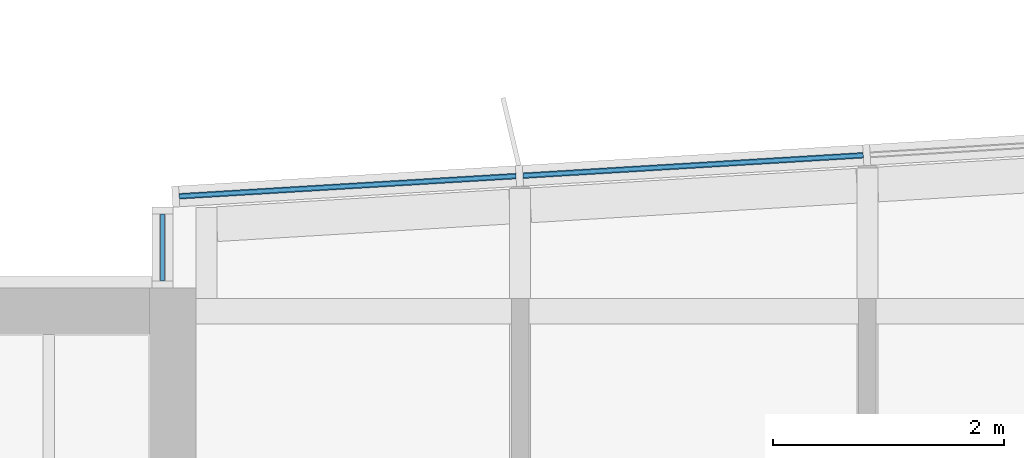
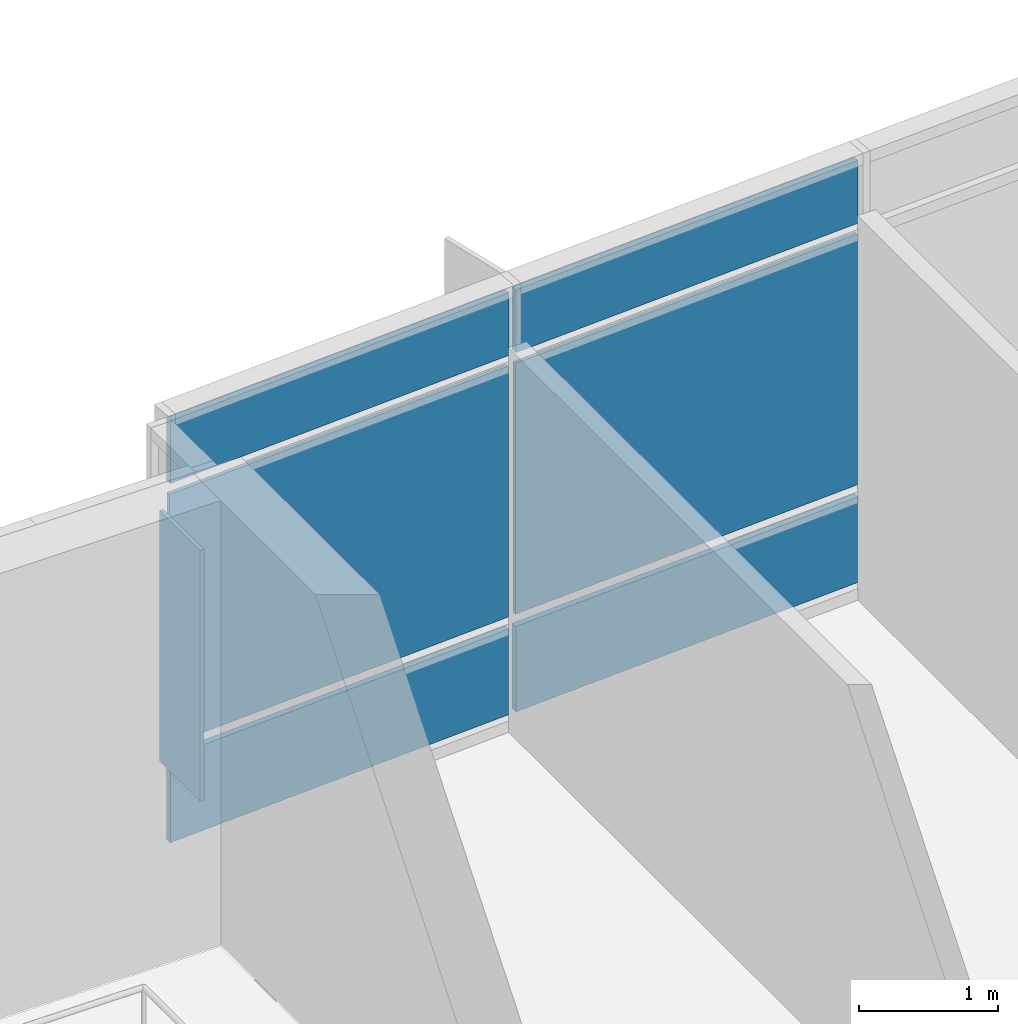
# One storey, part 11 of 21: 7 plates, 2 elements without a shape of their own.
"""IFC4 building model written with IfcOpenShell, lengths in metres."""

import ifcopenshell
import ifcopenshell.guid

model = None  # the IFC model being written
_history = None  # IfcOwnerHistory: only IFC2X3 demands one
_inside = {}  # id of a spatial element -> (the spatial element, [elements in it])
_under = {}  # id of a project, library or spatial element -> (it, [spatial elements below it])
_declared = {}  # id of a project -> (the project, [libraries it declares])
_typed = {}  # id of a type object -> (the type object, [elements of that type])
_made_of = {}  # id of a material, layer set ... -> (it, [elements and type objects made of it])


def new_model(schema):
    """Start an empty IFC model of exactly this schema.

    Asked for "IFC4X3", IfcOpenShell would pick the latest addendum, in which some entities
    have other attributes; the version numbers below select the first issue.
    IFC2X3 requires an IfcOwnerHistory on every rooted entity: one is made here for all.
    """
    global model, _history
    if schema == "IFC4X3":
        model = ifcopenshell.file(schema_version=(4, 3, 0, 0))
    else:
        model = ifcopenshell.file(schema=schema)
    _inside.clear()
    _under.clear()
    _declared.clear()
    _typed.clear()
    _made_of.clear()
    _history = None
    if model.schema == "IFC2X3":
        org = make("IfcOrganization", Name="unknown")
        user = make(
            "IfcPersonAndOrganization",
            ThePerson=make("IfcPerson", FamilyName="unknown"),
            TheOrganization=org,
        )
        app = make(
            "IfcApplication",
            ApplicationDeveloper=org,
            Version="unknown",
            ApplicationFullName="unknown",
            ApplicationIdentifier="unknown",
        )
        _history = make(
            "IfcOwnerHistory",
            OwningUser=user,
            OwningApplication=app,
            ChangeAction="ADDED",
            CreationDate=0,
        )
    return model


def make(cls, **values):
    """One entity of the class cls with the attributes given. An attribute that is None is left unset."""
    return model.create_entity(
        cls, **{name: value for name, value in values.items() if value is not None}
    )


def rooted(cls, **values):
    """An entity with a GlobalId (a new one), such as an element, a storey or a relation."""
    return make(cls, GlobalId=ifcopenshell.guid.new(), OwnerHistory=_history, **values)


def si_unit(unit_type, name, prefix=None):
    """IfcSIUnit, for example si_unit("LENGTHUNIT", "METRE", prefix="MILLI")."""
    return make("IfcSIUnit", UnitType=unit_type, Prefix=prefix, Name=name)


def assignment(units):
    """IfcUnitAssignment: the units of a project."""
    return None if units is None else make("IfcUnitAssignment", Units=units)


def point(xyz):
    """IfcCartesianPoint."""
    return None if xyz is None else make("IfcCartesianPoint", Coordinates=xyz)


def direction(xyz):
    """IfcDirection."""
    return None if xyz is None else make("IfcDirection", DirectionRatios=xyz)


def frame(location, z_axis=None, x_axis=None):
    """IfcAxis2Placement3D, a coordinate frame: its origin and axes. An axis left out is left unset."""
    return make(
        "IfcAxis2Placement3D",
        Location=point(location),
        Axis=direction(z_axis),
        RefDirection=direction(x_axis),
    )


def frame_2d(location, x_axis=None):
    """IfcAxis2Placement2D, a coordinate frame in the plane: its origin and x axis."""
    return make(
        "IfcAxis2Placement2D", Location=point(location), RefDirection=direction(x_axis)
    )


def origin():
    """The frame at (0, 0, 0) with its axes left unset."""
    return frame((0.0, 0.0, 0.0))


def origin_2d():
    """The frame at (0, 0) in the plane with its x axis left unset."""
    return frame_2d((0.0, 0.0))


def place(relative_to, where):
    """IfcLocalPlacement: puts the frame where relative to a parent placement (None: the world)."""
    return make(
        "IfcLocalPlacement", PlacementRelTo=relative_to, RelativePlacement=where
    )


def context(
    kind, dimensions, precision=None, world=None, true_north=None, identifier=None
):
    """IfcGeometricRepresentationContext, for example the 3D "Model" context."""
    return make(
        "IfcGeometricRepresentationContext",
        ContextIdentifier=identifier,
        ContextType=kind,
        CoordinateSpaceDimension=dimensions,
        Precision=precision,
        WorldCoordinateSystem=world,
        TrueNorth=true_north,
    )


def subcontext(parent, identifier, kind, view, scale=None):
    """IfcGeometricRepresentationSubContext, for example "Body" below "Model"."""
    return make(
        "IfcGeometricRepresentationSubContext",
        ContextIdentifier=identifier,
        ContextType=kind,
        ParentContext=parent,
        TargetScale=scale,
        TargetView=view,
    )


def project(units=None, contexts=None):
    """IfcProject with its units and contexts."""
    return rooted(
        "IfcProject",
        Name="project",
        RepresentationContexts=contexts,
        UnitsInContext=assignment(units),
    )


def spatial(cls, under=None, at=None, **own):
    """A site, building, storey or space (cls), placed at a placement, below another one or the project."""
    s = rooted(cls, ObjectPlacement=at, **own)
    if under is not None:
        _under.setdefault(under.id(), (under, []))[1].append(s)
    return s


def profile(cls, at=None, kind="AREA", **sizes):
    """A parametric profile (cls). Its sizes go by their IFC names, for example OverallWidth=200.0."""
    return make(cls, ProfileType=kind, Position=at, **sizes)


def rectangle(**sizes):
    """IfcRectangleProfileDef."""
    return profile("IfcRectangleProfileDef", **sizes)


def extrude(swept, where, along, depth):
    """IfcExtrudedAreaSolid: the profile swept, set in the frame where, extruded along a direction by depth."""
    return make(
        "IfcExtrudedAreaSolid",
        SweptArea=swept,
        Position=where,
        ExtrudedDirection=direction(along),
        Depth=depth,
    )


def shape(context_of_items, identifier, shape_type, items):
    """IfcShapeRepresentation: the items that make up one representation, for example the "Body"."""
    return make(
        "IfcShapeRepresentation",
        ContextOfItems=context_of_items,
        RepresentationIdentifier=identifier,
        RepresentationType=shape_type,
        Items=items,
    )


def material(Name=None, Category=None):
    """IfcMaterial."""
    return make("IfcMaterial", Name=Name, Category=Category)


def layer(
    of_material, thickness, ventilated=None, Name=None, Category=None, Priority=None
):
    """IfcMaterialLayer: one layer of a wall or slab, of a material (None: an air gap)."""
    return make(
        "IfcMaterialLayer",
        Material=of_material,
        LayerThickness=thickness,
        IsVentilated=ventilated,
        Name=Name,
        Category=Category,
        Priority=Priority,
    )


def layer_set(layers, Name=None):
    """IfcMaterialLayerSet."""
    return make("IfcMaterialLayerSet", MaterialLayers=layers, LayerSetName=Name)


def made_of(thing, what):
    """Note that an element or type object is made of a material, layer set ...; save() writes the relation."""
    if what is not None:
        _made_of.setdefault(what.id(), (what, []))[1].append(thing)
    return thing


def type_object(cls, material=None, **own):
    """A type object (cls), such as IfcWallType, which elements share."""
    return made_of(rooted(cls, **own), material)


def element(
    cls,
    number,
    at=None,
    inside=None,
    cuts=None,
    type_object=None,
    material=None,
    context=None,
    identifier="Body",
    shape_type=None,
    held_by="IfcProductDefinitionShape",
    body=None,
    shapes=None,
    **own,
):
    """One element of the class cls, such as IfcWall. Its Tag is "e" and its number.

    at: its placement. inside: the storey or other place that contains it. cuts: it is an
    opening in that element (IfcRelVoidsElement). A single representation is given by context,
    identifier, shape_type and body (its items); several are given by shapes. held_by: the class
    of the entity that holds the representations. save() writes the other relations.
    """
    e = rooted(cls, Tag="e%d" % number, ObjectPlacement=at, **own)
    if body is not None:
        shapes = [shape(context, identifier, shape_type, body)]
    if shapes is not None:
        e.Representation = make(held_by, Representations=shapes)
    if inside is not None:
        _inside.setdefault(inside.id(), (inside, []))[1].append(e)
    if cuts is not None:
        rooted(
            "IfcRelVoidsElement", RelatingBuildingElement=cuts, RelatedOpeningElement=e
        )
    if type_object is not None:
        _typed.setdefault(type_object.id(), (type_object, []))[1].append(e)
    return made_of(e, material)


def aggregate(whole, parts):
    """IfcRelAggregates: a whole, such as a stair, and the parts it consists of."""
    return rooted("IfcRelAggregates", RelatingObject=whole, RelatedObjects=parts)


def save(model, path):
    """Write the relations noted so far, then the file.

    IfcRelAggregates (storeys below a building ...), IfcRelContainedInSpatialStructure (elements
    in a storey), IfcRelDefinesByType, IfcRelAssociatesMaterial and IfcRelDeclares: one each for
    every whole, place, type object, material and project.
    """
    for whole, parts in _under.values():
        aggregate(whole, parts)
    for where, things in _inside.values():
        rooted(
            "IfcRelContainedInSpatialStructure",
            RelatedElements=things,
            RelatingStructure=where,
        )
    for kind, things in _typed.values():
        rooted("IfcRelDefinesByType", RelatedObjects=things, RelatingType=kind)
    for what, things in _made_of.values():
        rooted("IfcRelAssociatesMaterial", RelatedObjects=things, RelatingMaterial=what)
    for by, libraries in _declared.values():
        rooted("IfcRelDeclares", RelatingContext=by, RelatedDefinitions=libraries)
    model.write(path)


model = new_model("IFC4")

# Units and contexts
model_context = context("Model", 3, precision=1e-05, world=origin(), true_north=direction((0.0, 1.0)))
body_context = subcontext(model_context, "Body", "Model", "MODEL_VIEW")
ifc_project = project(units=[si_unit("LENGTHUNIT", "METRE"), si_unit("AREAUNIT", "SQUARE_METRE"), si_unit("VOLUMEUNIT", "CUBIC_METRE"), si_unit("PLANEANGLEUNIT", "RADIAN"), si_unit("MASSUNIT", "GRAM", prefix="KILO")], contexts=[model_context])

# Site, building, storey
site_placement = place(None, origin())
site = spatial("IfcSite", under=ifc_project, at=site_placement, CompositionType="ELEMENT")
building_placement = place(site_placement, origin())
building = spatial("IfcBuilding", under=site, at=building_placement, Name="Azimuth Sports and Learning Centre", CompositionType="ELEMENT")
storey_placement = place(building_placement, frame((0.0, 0.0, 32.39990234375)))
storey = spatial("IfcBuildingStorey", under=building, at=storey_placement, Name="L06", CompositionType="ELEMENT", Elevation=32.39990234375)

# Curtain wall, plates
ifc_material_1 = material(Name="Aluminium and glass", Category="aluminium")
curtain_wall_type_1 = type_object("IfcCurtainWallType", Name="Curtain wall tower north 180", PredefinedType="NOTDEFINED", material=ifc_material_1)
curtain_wall_1_placement = place(storey_placement, origin())
curtain_wall_1 = element("IfcCurtainWall", 1, at=curtain_wall_1_placement, inside=storey, type_object=curtain_wall_type_1, Name="Curtain wall CW06-009", PredefinedType="NOTDEFINED")
ifc_material_2 = material(Name="Insulated aluminium panel", Category="aluminium")
ifc_layer_1 = layer(ifc_material_2, 0.050048828125)
ifc_layer_set_1 = layer_set([ifc_layer_1], Name="Insulated aluminium panel")
plate_type_1 = type_object("IfcPlateType", Name="Spandrel panel 50 mm", PredefinedType="CURTAIN_PANEL", material=ifc_layer_set_1)
plate_1_placement = place(storey_placement, frame((67.49462890625, 118.259765625, 0.10009765625), z_axis=(0.0, 0.0, 1.0), x_axis=(-0.998204863401, -0.059891991812, 0.0)))
plate_1 = element("IfcPlate", 2, at=plate_1_placement, type_object=plate_type_1, Name="CW06-009 panel 4.1", PredefinedType="CURTAIN_PANEL", context=body_context, shape_type="SweptSolid", body=[
    extrude(rectangle(XDim=2.9453125, YDim=0.050048828125, at=origin_2d()), origin(), (0.0, 0.0, 1.0), 0.75),
])
plate_2_placement = place(storey_placement, frame((67.49462890625, 118.259765625, 3.25), z_axis=(0.0, 0.0, 1.0), x_axis=(-0.998204863401, -0.059891991812, 0.0)))
plate_2 = element("IfcPlate", 3, at=plate_2_placement, type_object=plate_type_1, Name="CW06-009 panel 4.3", PredefinedType="CURTAIN_PANEL", context=body_context, shape_type="SweptSolid", body=[
    extrude(rectangle(XDim=2.9453125, YDim=0.050048828125, at=origin_2d()), origin(), (0.0, 0.0, 1.0), 0.550048828125),
])
plate_3_placement = place(storey_placement, frame((64.509521484375, 118.080810546875, 0.10009765625), z_axis=(0.0, 0.0, 1.0), x_axis=(-0.998204863401, -0.059891991812, 0.0)))
plate_3 = element("IfcPlate", 4, at=plate_3_placement, type_object=plate_type_1, Name="CW06-009 panel 5.1", PredefinedType="CURTAIN_PANEL", context=body_context, shape_type="SweptSolid", body=[
    extrude(rectangle(XDim=2.915283203125, YDim=0.050048828125, at=origin_2d()), origin(), (0.0, 0.0, 1.0), 0.75),
])
plate_4_placement = place(storey_placement, frame((64.509521484375, 118.080810546875, 3.25), z_axis=(0.0, 0.0, 1.0), x_axis=(-0.998204863401, -0.059891991812, 0.0)))
plate_4 = element("IfcPlate", 5, at=plate_4_placement, type_object=plate_type_1, Name="CW06-009 panel 5.3", PredefinedType="CURTAIN_PANEL", context=body_context, shape_type="SweptSolid", body=[
    extrude(rectangle(XDim=2.915283203125, YDim=0.050048828125, at=origin_2d()), origin(), (0.0, 0.0, 1.0), 0.550048828125),
])
ifc_material_3 = material(Name="Glass", Category="glass")
ifc_layer_2 = layer(ifc_material_3, 0.031982421875)
ifc_layer_set_2 = layer_set([ifc_layer_2], Name="Glass")
plate_type_2 = type_object("IfcPlateType", Name="Vision glass 32 mm", PredefinedType="CURTAIN_PANEL", material=ifc_layer_set_2)
plate_5_placement = place(storey_placement, frame((67.49462890625, 118.259765625, 0.9501953125), z_axis=(0.0, 0.0, 1.0), x_axis=(-0.998204863401, -0.059891991812, 0.0)))
plate_5 = element("IfcPlate", 6, at=plate_5_placement, type_object=plate_type_2, Name="CW06-009 panel 4.2", PredefinedType="CURTAIN_PANEL", context=body_context, shape_type="SweptSolid", body=[
    extrude(rectangle(XDim=2.9453125, YDim=0.031982421875, at=origin_2d()), origin(), (0.0, 0.0, 1.0), 2.199951171875),
])
plate_6_placement = place(storey_placement, frame((64.509521484375, 118.080810546875, 0.9501953125), z_axis=(0.0, 0.0, 1.0), x_axis=(-0.998204863401, -0.059891991812, 0.0)))
plate_6 = element("IfcPlate", 7, at=plate_6_placement, type_object=plate_type_2, Name="CW06-009 panel 5.2", PredefinedType="CURTAIN_PANEL", context=body_context, shape_type="SweptSolid", body=[
    extrude(rectangle(XDim=2.915283203125, YDim=0.031982421875, at=origin_2d()), origin(), (0.0, 0.0, 1.0), 2.199951171875),
])
aggregate(curtain_wall_1, [plate_1, plate_5, plate_2, plate_3, plate_6, plate_4])

# Curtain wall, plate
ifc_material_4 = material(Name="Aluminium and glass", Category="aluminium")
curtain_wall_type_2 = type_object("IfcCurtainWallType", Name="Curtain wall tower return 180", PredefinedType="NOTDEFINED", material=ifc_material_4)
curtain_wall_2_placement = place(storey_placement, origin())
curtain_wall_2 = element("IfcCurtainWall", 8, at=curtain_wall_2_placement, inside=storey, type_object=curtain_wall_type_2, Name="Curtain wall CW06-010", PredefinedType="NOTDEFINED")
plate_7_placement = place(storey_placement, frame((62.909912109375, 117.550048828125, 0.9501953125), z_axis=(0.0, 0.0, 1.0), x_axis=(0.0, -1.0, 0.0)))
plate_7 = element("IfcPlate", 9, at=plate_7_placement, type_object=plate_type_2, Name="CW06-010 panel 1.2", PredefinedType="CURTAIN_PANEL", context=body_context, shape_type="SweptSolid", body=[
    extrude(rectangle(XDim=0.580078125, YDim=0.031982421875, at=origin_2d()), origin(), (0.0, 0.0, 1.0), 2.199951171875),
])
aggregate(curtain_wall_2, [plate_7])

save(model, "model.ifc")
